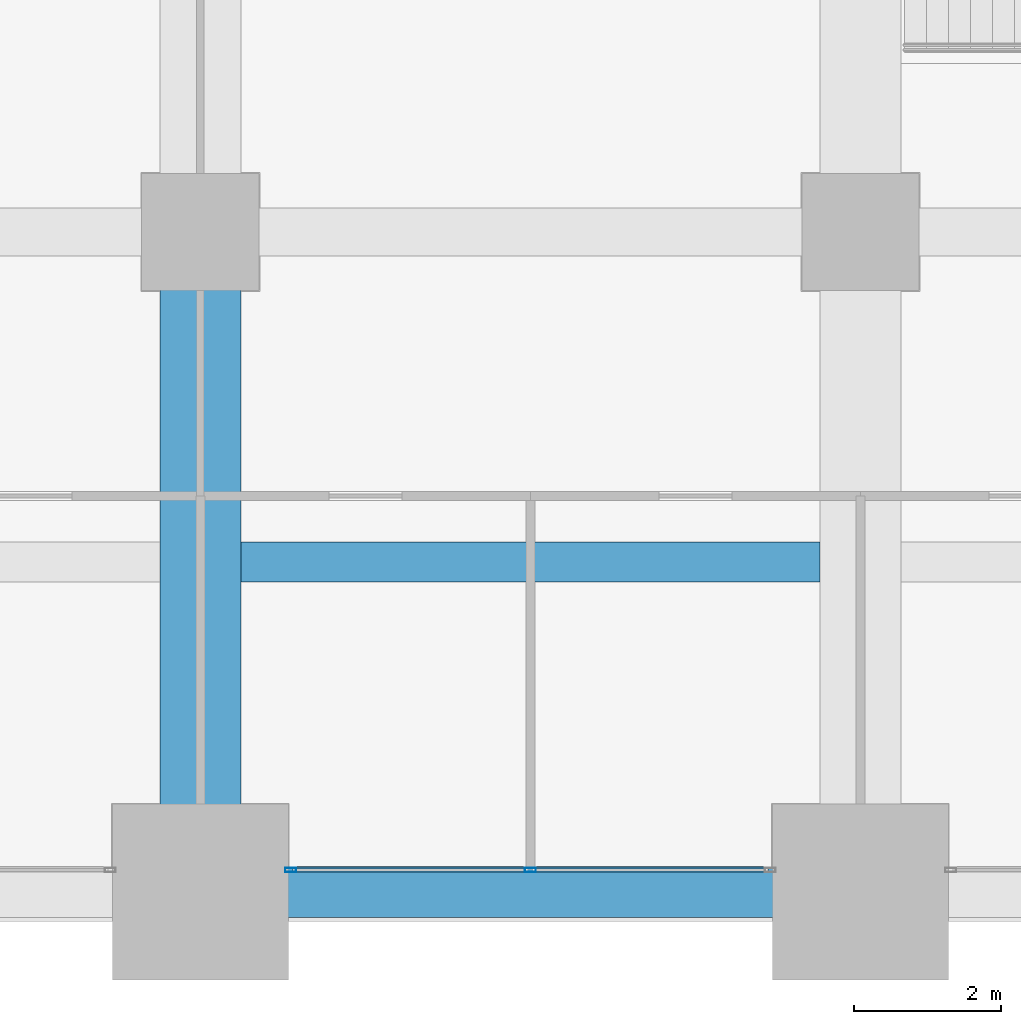
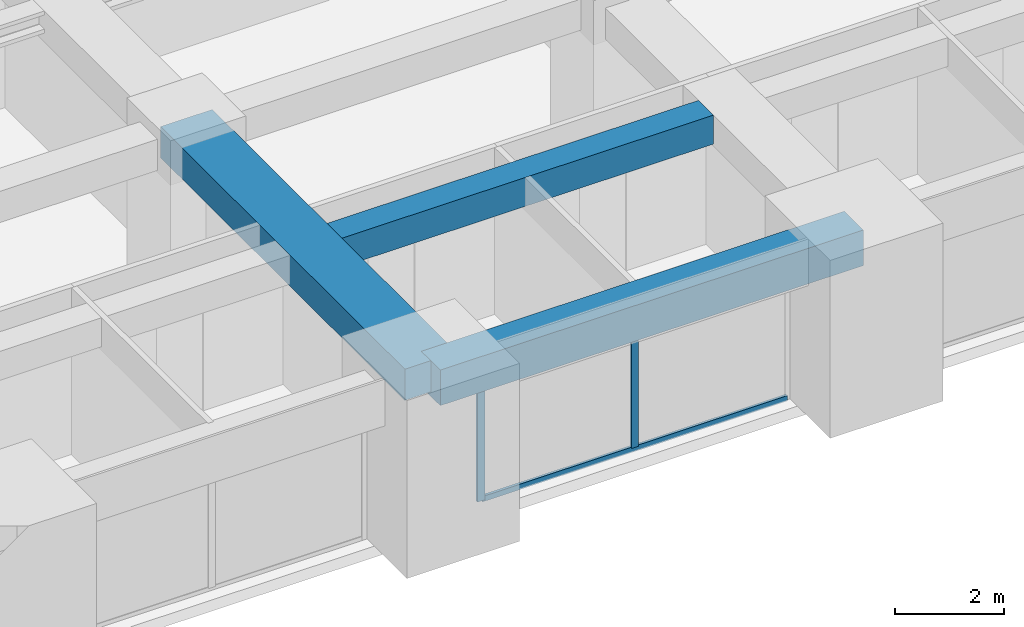
# One storey, part 7 of 34: 3 beams, 3 members, 1 element without a shape of its own.
"""IFC4 building model written with IfcOpenShell, lengths in metres."""

from ifc_helpers import new_model, si_unit, direction, frame, origin, origin_2d, place, context, subcontext, project, spatial, rectangle, hollow_rectangle, extrude, material, material_profile, profile_set, type_object, element, aggregate, save


model = new_model("IFC4")

# Units and contexts
model_context = context("Model", 3, precision=1e-05, world=origin(), true_north=direction((0.0, 1.0)))
body_context = subcontext(model_context, "Body", "Model", "MODEL_VIEW")
ifc_project = project(units=[si_unit("LENGTHUNIT", "METRE"), si_unit("AREAUNIT", "SQUARE_METRE"), si_unit("VOLUMEUNIT", "CUBIC_METRE"), si_unit("PLANEANGLEUNIT", "RADIAN"), si_unit("MASSUNIT", "GRAM", prefix="KILO")], contexts=[model_context])

# Site, building, storey
site_placement = place(None, origin())
site = spatial("IfcSite", under=ifc_project, at=site_placement, CompositionType="ELEMENT")
building_placement = place(site_placement, origin())
building = spatial("IfcBuilding", under=site, at=building_placement, Name="Zorevar Civic Tower", CompositionType="ELEMENT")
storey_placement = place(building_placement, frame((0.0, 0.0, 174.199951171875)))
storey = spatial("IfcBuildingStorey", under=building, at=storey_placement, Name="L42", CompositionType="ELEMENT", Elevation=174.199951171875)

# Beams
ifc_material_1 = material(Name="Concrete C50/60", Category="concrete")
ifc_material_profile_1 = material_profile(ifc_material_1, rectangle(XDim=1.10009765625, YDim=0.699951171875, at=origin_2d()), Name="RC 1100x700")
ifc_profile_set_1 = profile_set([ifc_material_profile_1], Name="Concrete C50/60")
beam_type_1 = type_object("IfcBeamType", Name="Beam RC 1100x700", PredefinedType="BEAM", material=ifc_profile_set_1)
beam_1_placement = place(storey_placement, frame((27.0, 0.0, 3.400146484375), z_axis=(0.0, 1.0, 0.0), x_axis=(-1.0, 0.0, 0.0)))
element("IfcBeam", 1, at=beam_1_placement, inside=storey, type_object=beam_type_1, Name="Girder L43", PredefinedType="BEAM", context=body_context, shape_type="SweptSolid", body=[
    extrude(rectangle(XDim=1.10009765625, YDim=0.699951171875, at=origin_2d()), origin(), (0.0, 0.0, 1.0), 9.0),
])
ifc_material_2 = material(Name="Concrete C50/60", Category="concrete")
ifc_material_profile_2 = material_profile(ifc_material_2, rectangle(XDim=0.550048828125, YDim=0.64990234375, at=origin_2d()), Name="RC 550x650")
ifc_profile_set_2 = profile_set([ifc_material_profile_2], Name="Concrete C50/60")
beam_type_2 = type_object("IfcBeamType", Name="Beam RC 550x650", PredefinedType="BEAM", material=ifc_profile_set_2)
beam_2_placement = place(storey_placement, frame((27.550048828125, 4.5, 3.425048828125), z_axis=(1.0, 0.0, 0.0), x_axis=(0.0, 1.0, 0.0)))
element("IfcBeam", 2, at=beam_2_placement, inside=storey, type_object=beam_type_2, Name="Secondary beam L43", PredefinedType="BEAM", context=body_context, shape_type="SweptSolid", body=[
    extrude(rectangle(XDim=0.550048828125, YDim=0.64990234375, at=origin_2d()), origin(), (0.0, 0.0, 1.0), 7.89990234375),
])

# Curtain wall, members
ifc_material_3 = material(Name="Dark grey solar-control glass in black aluminium frame", Category="aluminium")
curtain_wall_type = type_object("IfcCurtainWallType", Name="Curtain wall CW4 high zone", PredefinedType="NOTDEFINED", material=ifc_material_3)
curtain_wall_placement = place(storey_placement, origin())
curtain_wall = element("IfcCurtainWall", 3, at=curtain_wall_placement, inside=storey, type_object=curtain_wall_type, Name="CW4 L42", PredefinedType="NOTDEFINED")
ifc_material_4 = material(Name="Aluminium, black anodised", Category="aluminium")
ifc_material_profile_3 = material_profile(ifc_material_4, hollow_rectangle(XDim=0.06005859375, YDim=0.14990234375, WallThickness=0.00390625, at=origin_2d()), Name="AL 150x60x4")
ifc_profile_set_3 = profile_set([ifc_material_profile_3], Name="Aluminium, black anodised")
member_type_1 = type_object("IfcMemberType", Name="CW4 mullion AL 150x60x4", PredefinedType="MULLION", material=ifc_profile_set_3)
member_1_placement = place(storey_placement, frame((28.22998046875, 0.300048828125, 0.0), z_axis=(0.0, 0.0, 1.0), x_axis=(0.0, 1.0, 0.0)))
member_1 = element("IfcMember", 4, at=member_1_placement, type_object=member_type_1, Name="CW4 mullion 1", PredefinedType="MULLION", context=body_context, shape_type="SweptSolid", body=[
    extrude(hollow_rectangle(XDim=0.06005859375, YDim=0.14990234375, WallThickness=0.00390625, at=origin_2d()), origin(), (0.0, 0.0, 1.0), 2.949951171875),
])
member_2_placement = place(storey_placement, frame((31.5, 0.300048828125, 0.06005859375), z_axis=(0.0, 0.0, 1.0), x_axis=(0.0, 1.0, 0.0)))
member_2 = element("IfcMember", 5, at=member_2_placement, type_object=member_type_1, Name="CW4 mullion 2", PredefinedType="MULLION", context=body_context, shape_type="SweptSolid", body=[
    extrude(hollow_rectangle(XDim=0.06005859375, YDim=0.14990234375, WallThickness=0.00390625, at=origin_2d()), origin(), (0.0, 0.0, 1.0), 2.889892578125),
])
ifc_material_5 = material(Name="Aluminium, black anodised", Category="aluminium")
ifc_material_profile_4 = material_profile(ifc_material_5, hollow_rectangle(XDim=0.06005859375, YDim=0.1201171875, WallThickness=0.0029296875, at=origin_2d()), Name="AL 120x60x3")
ifc_profile_set_4 = profile_set([ifc_material_profile_4], Name="Aluminium, black anodised")
member_type_2 = type_object("IfcMemberType", Name="CW4 transom AL 120x60x3", PredefinedType="USERDEFINED", material=ifc_profile_set_4)
member_3_placement = place(storey_placement, frame((28.260009765625, 0.300048828125, 0.030029296875), z_axis=(1.0, 0.0, 0.0), x_axis=(0.0, 1.0, 0.0)))
member_3 = element("IfcMember", 6, at=member_3_placement, type_object=member_type_2, Name="CW4 sill transom", ObjectType="TRANSOM", PredefinedType="USERDEFINED", context=body_context, shape_type="SweptSolid", body=[
    extrude(hollow_rectangle(XDim=0.06005859375, YDim=0.1201171875, WallThickness=0.0029296875, at=origin_2d()), origin(), (0.0, 0.0, 1.0), 6.47998046875),
])
aggregate(curtain_wall, [member_1, member_2, member_3])

# Beam
ifc_material_6 = material(Name="Concrete C50/60", Category="concrete")
ifc_material_profile_5 = material_profile(ifc_material_6, rectangle(XDim=0.699951171875, YDim=0.800048828125, at=origin_2d()), Name="RC 700x800")
ifc_profile_set_5 = profile_set([ifc_material_profile_5], Name="Concrete C50/60")
beam_type_3 = type_object("IfcBeamType", Name="Edge beam RC 700x800", PredefinedType="SPANDREL", material=ifc_profile_set_5)
beam_3_placement = place(storey_placement, frame((27.0, 0.0, 3.35009765625), z_axis=(1.0, 0.0, 0.0), x_axis=(0.0, 1.0, 0.0)))
element("IfcBeam", 7, at=beam_3_placement, inside=storey, type_object=beam_type_3, Name="Edge beam L43", PredefinedType="SPANDREL", context=body_context, shape_type="SweptSolid", body=[
    extrude(rectangle(XDim=0.699951171875, YDim=0.800048828125, at=origin_2d()), origin(), (0.0, 0.0, 1.0), 9.0),
])

save(model, "model.ifc")
